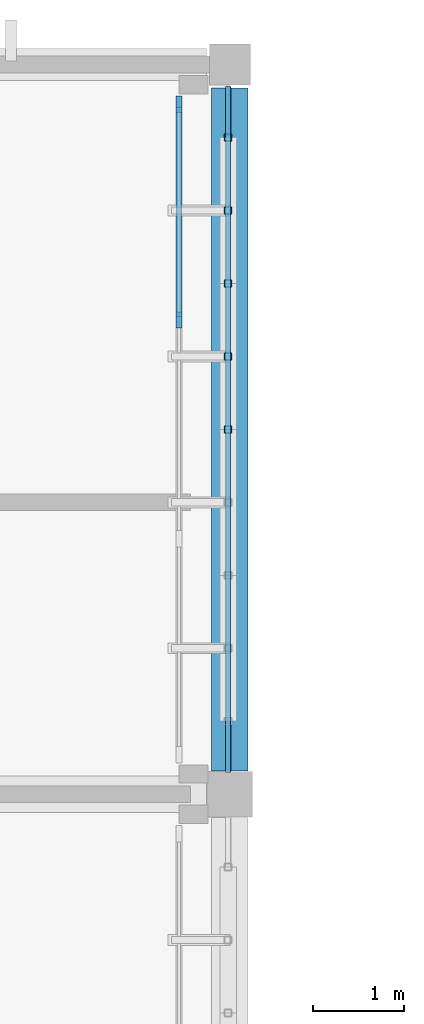
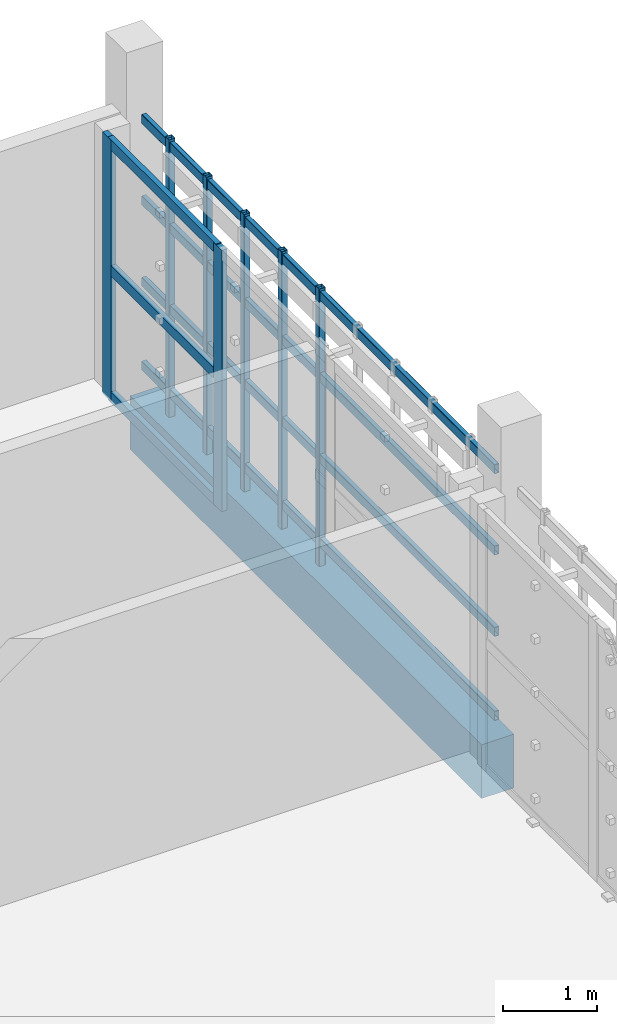
# One storey, part 37 of 63: 14 members, 1 beam, 1 element without a shape of its own.
"""IFC4 building model written with IfcOpenShell, lengths in metres."""

from ifc_helpers import new_model, si_unit, direction, frame, origin, origin_2d, place, context, subcontext, project, spatial, rectangle, hollow_rectangle, extrude, material, layer, layer_set, material_profile, profile_set, type_object, element, aggregate, save


model = new_model("IFC4")

# Units and contexts
model_context = context("Model", 3, precision=1e-05, world=origin(), true_north=direction((0.0, 1.0)))
body_context = subcontext(model_context, "Body", "Model", "MODEL_VIEW")
ifc_project = project(units=[si_unit("LENGTHUNIT", "METRE"), si_unit("AREAUNIT", "SQUARE_METRE"), si_unit("VOLUMEUNIT", "CUBIC_METRE"), si_unit("PLANEANGLEUNIT", "RADIAN"), si_unit("MASSUNIT", "GRAM", prefix="KILO")], contexts=[model_context])

# Site, building, storey
site_placement = place(None, origin())
site = spatial("IfcSite", under=ifc_project, at=site_placement, CompositionType="ELEMENT")
building_placement = place(site_placement, origin())
building = spatial("IfcBuilding", under=site, at=building_placement, Name="Jelvoka-Kovrelna Polytechnic", CompositionType="ELEMENT")
storey_placement = place(building_placement, frame((0.0, 0.0, 18.0)))
storey = spatial("IfcBuildingStorey", under=building, at=storey_placement, Name="L05", CompositionType="ELEMENT", Elevation=18.0)

# Beam
ifc_material_1 = material(Name="Concrete C40/50", Category="concrete")
ifc_material_profile_1 = material_profile(ifc_material_1, rectangle(XDim=0.39990234375, YDim=0.699951171875, at=origin_2d()), Name="RC 400x700")
ifc_profile_set_1 = profile_set([ifc_material_profile_1], Name="Concrete C40/50")
beam_type = type_object("IfcBeamType", Name="Beam_RC_400x700", PredefinedType="BEAM", material=ifc_profile_set_1)
beam_placement = place(storey_placement, frame((192.0, 64.2548828125, -0.60009765625), z_axis=(0.0, 1.0, 0.0), x_axis=(-1.0, 0.0, 0.0)))
element("IfcBeam", 1, at=beam_placement, inside=storey, type_object=beam_type, Name="L05 beam 1588", PredefinedType="BEAM", context=body_context, shape_type="SweptSolid", body=[
    extrude(rectangle(XDim=0.39990234375, YDim=0.699951171875, at=origin_2d()), origin(), (0.0, 0.0, 1.0), 7.490234375),
])

# Members
ifc_material_2 = material(Name="Structural steel S355J2H", Category="steel")
ifc_material_profile_2 = material_profile(ifc_material_2, hollow_rectangle(XDim=0.06005859375, YDim=0.1201171875, WallThickness=0.0048828125, InnerFilletRadius=0.0048828125, OuterFilletRadius=0.007568359375, at=origin_2d()), Name="120x60x5.0 RHS")
ifc_profile_set_2 = profile_set([ifc_material_profile_2], Name="Structural steel S355J2H")
member_type_1 = type_object("IfcMemberType", Name="Member_Strut_RHS120", PredefinedType="STRUT", material=ifc_profile_set_2)
for number, where, z_axis, x_axis, name in (
    (2, (191.97998046875, 64.239990234375, 0.080078125), (0.0, 1.0, 0.0), (-1.0, 0.0, 0.0), "L05 terracotta screen horizontal strut 0742"),
    (3, (191.97998046875, 64.239990234375, 1.17138671875), (0.0, 1.0, 0.0), (-1.0, 0.0, 0.0), "L05 terracotta screen horizontal strut 0743"),
    (4, (191.97998046875, 64.239990234375, 2.230712890625), (0.0, 1.0, 0.0), (-1.0, 0.0, 0.0), "L05 terracotta screen horizontal strut 0744"),
    (5, (191.97998046875, 64.239990234375, 3.2900390625), (0.0, 1.0, 0.0), (-1.0, 0.0, 0.0), "L05 terracotta screen horizontal strut 0745"),
):
    element("IfcMember", number, at=place(storey_placement, frame(where, z_axis=z_axis, x_axis=x_axis)), inside=storey, type_object=member_type_1, Name=name, PredefinedType="STRUT", context=body_context, shape_type="SweptSolid", body=[
        extrude(hollow_rectangle(XDim=0.06005859375, YDim=0.1201171875, WallThickness=0.0048828125, InnerFilletRadius=0.0048828125, OuterFilletRadius=0.007568359375, at=origin_2d()), origin(), (0.0, 0.0, 1.0), 7.52001953125),
    ])
ifc_material_3 = material(Name="Structural steel S355J2H", Category="steel")
ifc_material_profile_3 = material_profile(ifc_material_3, hollow_rectangle(XDim=0.080078125, YDim=0.080078125, WallThickness=0.0048828125, InnerFilletRadius=0.0048828125, OuterFilletRadius=0.007568359375, at=origin_2d()), Name="80x80x5.0 SHS")
ifc_profile_set_3 = profile_set([ifc_material_profile_3], Name="Structural steel S355J2H")
member_type_2 = type_object("IfcMemberType", Name="Member_Strut_SHS80", PredefinedType="STRUT", material=ifc_profile_set_3)
for number, where, z_axis, x_axis, name in (
    (6, (191.97998046875, 68.0, -0.22998046875), (0.0, 0.0, 1.0), (1.0, 0.0, 0.0), "L05 terracotta lattice vertical rib 0750"),
    (7, (191.97998046875, 68.800048828125, -0.22998046875), (0.0, 0.0, 1.0), (1.0, 0.0, 0.0), "L05 terracotta lattice vertical rib 0751"),
    (8, (191.97998046875, 69.60009765625, -0.22998046875), (0.0, 0.0, 1.0), (1.0, 0.0, 0.0), "L05 terracotta lattice vertical rib 0752"),
    (9, (191.97998046875, 70.39990234375, -0.22998046875), (0.0, 0.0, 1.0), (1.0, 0.0, 0.0), "L05 terracotta lattice vertical rib 0753"),
    (10, (191.97998046875, 71.199951171875, -0.22998046875), (0.0, 0.0, 1.0), (1.0, 0.0, 0.0), "L05 terracotta lattice vertical rib 0754"),
):
    element("IfcMember", number, at=place(storey_placement, frame(where, z_axis=z_axis, x_axis=x_axis)), inside=storey, type_object=member_type_2, Name=name, PredefinedType="STRUT", context=body_context, shape_type="SweptSolid", body=[
        extrude(hollow_rectangle(XDim=0.080078125, YDim=0.080078125, WallThickness=0.0048828125, InnerFilletRadius=0.0048828125, OuterFilletRadius=0.007568359375, at=origin_2d()), origin(), (0.0, 0.0, 1.0), 3.60986328125),
    ])

# Curtain wall, members
ifc_material_4 = material(Name="Anodised aluminium 6063-T6", Category="aluminium")
ifc_layer = layer(ifc_material_4, 0.179931640625)
ifc_layer_set = layer_set([ifc_layer], Name="Anodised aluminium 6063-T6")
curtain_wall_type = type_object("IfcCurtainWallType", Name="CW_Recessed_B", PredefinedType="NOTDEFINED", material=ifc_layer_set)
curtain_wall_placement = place(storey_placement, origin())
curtain_wall = element("IfcCurtainWall", 11, at=curtain_wall_placement, inside=storey, type_object=curtain_wall_type, Name="L05 glazed curtain wall 090", PredefinedType="NOTDEFINED")
ifc_material_5 = material(Name="Anodised aluminium 6063-T6", Category="aluminium")
ifc_material_profile_4 = material_profile(ifc_material_5, rectangle(XDim=0.06494140625, YDim=0.179931640625, at=origin_2d()), Name="ALU 65x180")
ifc_profile_set_4 = profile_set([ifc_material_profile_4], Name="Anodised aluminium 6063-T6")
member_type_3 = type_object("IfcMemberType", Name="Mullion_M-02", PredefinedType="MULLION", material=ifc_profile_set_4)
member_1_placement = place(storey_placement, frame((191.43994140625, 71.5673828125, -0.02490234375), z_axis=(0.0, 0.0, 1.0), x_axis=(1.0, 0.0, 0.0)))
member_1 = element("IfcMember", 12, at=member_1_placement, type_object=member_type_3, Name="CW-02 mullion 1", PredefinedType="MULLION", context=body_context, shape_type="SweptSolid", body=[
    extrude(rectangle(XDim=0.06494140625, YDim=0.179931640625, at=origin_2d()), origin(), (0.0, 0.0, 1.0), 3.400146484375),
])
member_2_placement = place(storey_placement, frame((191.43994140625, 69.199951171875, -0.02490234375), z_axis=(0.0, 0.0, 1.0), x_axis=(1.0, 0.0, 0.0)))
member_2 = element("IfcMember", 13, at=member_2_placement, type_object=member_type_3, Name="CW-02 mullion 2", PredefinedType="MULLION", context=body_context, shape_type="SweptSolid", body=[
    extrude(rectangle(XDim=0.06494140625, YDim=0.179931640625, at=origin_2d()), origin(), (0.0, 0.0, 1.0), 3.400146484375),
])
ifc_material_6 = material(Name="Anodised aluminium 6063-T6", Category="aluminium")
ifc_material_profile_5 = material_profile(ifc_material_6, rectangle(XDim=0.06494140625, YDim=0.135009765625, at=origin_2d()), Name="ALU 65x135")
ifc_profile_set_5 = profile_set([ifc_material_profile_5], Name="Anodised aluminium 6063-T6")
member_type_4 = type_object("IfcMemberType", Name="Transom_T-02", PredefinedType="USERDEFINED", material=ifc_profile_set_5)
member_3_placement = place(storey_placement, frame((191.43994140625, 71.534912109375, 0.032470703125), z_axis=(0.0, -1.0, 0.0), x_axis=(1.0, 0.0, 0.0)))
member_3 = element("IfcMember", 14, at=member_3_placement, type_object=member_type_4, Name="CW-02 transom 1.1", ObjectType="TRANSOM", PredefinedType="USERDEFINED", context=body_context, shape_type="SweptSolid", body=[
    extrude(rectangle(XDim=0.06494140625, YDim=0.135009765625, at=origin_2d()), origin(), (0.0, 0.0, 1.0), 2.302490234375),
])
member_4_placement = place(storey_placement, frame((191.43994140625, 71.534912109375, 1.675048828125), z_axis=(0.0, -1.0, 0.0), x_axis=(1.0, 0.0, 0.0)))
member_4 = element("IfcMember", 15, at=member_4_placement, type_object=member_type_4, Name="CW-02 transom 1.2", ObjectType="TRANSOM", PredefinedType="USERDEFINED", context=body_context, shape_type="SweptSolid", body=[
    extrude(rectangle(XDim=0.06494140625, YDim=0.135009765625, at=origin_2d()), origin(), (0.0, 0.0, 1.0), 2.302490234375),
])
member_5_placement = place(storey_placement, frame((191.43994140625, 71.534912109375, 3.3173828125), z_axis=(0.0, -1.0, 0.0), x_axis=(1.0, 0.0, 0.0)))
member_5 = element("IfcMember", 16, at=member_5_placement, type_object=member_type_4, Name="CW-02 transom 1.3", ObjectType="TRANSOM", PredefinedType="USERDEFINED", context=body_context, shape_type="SweptSolid", body=[
    extrude(rectangle(XDim=0.06494140625, YDim=0.135009765625, at=origin_2d()), origin(), (0.0, 0.0, 1.0), 2.302490234375),
])
aggregate(curtain_wall, [member_1, member_2, member_3, member_4, member_5])

save(model, "model.ifc")
